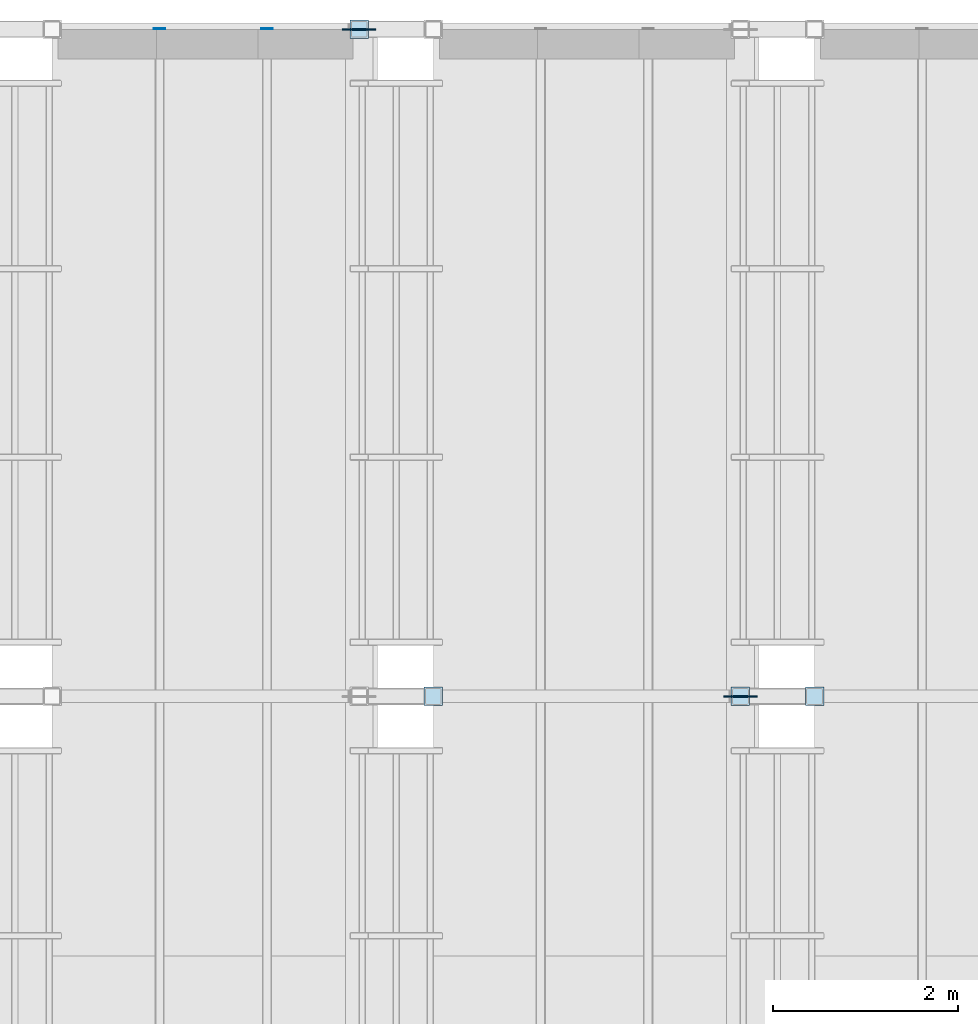
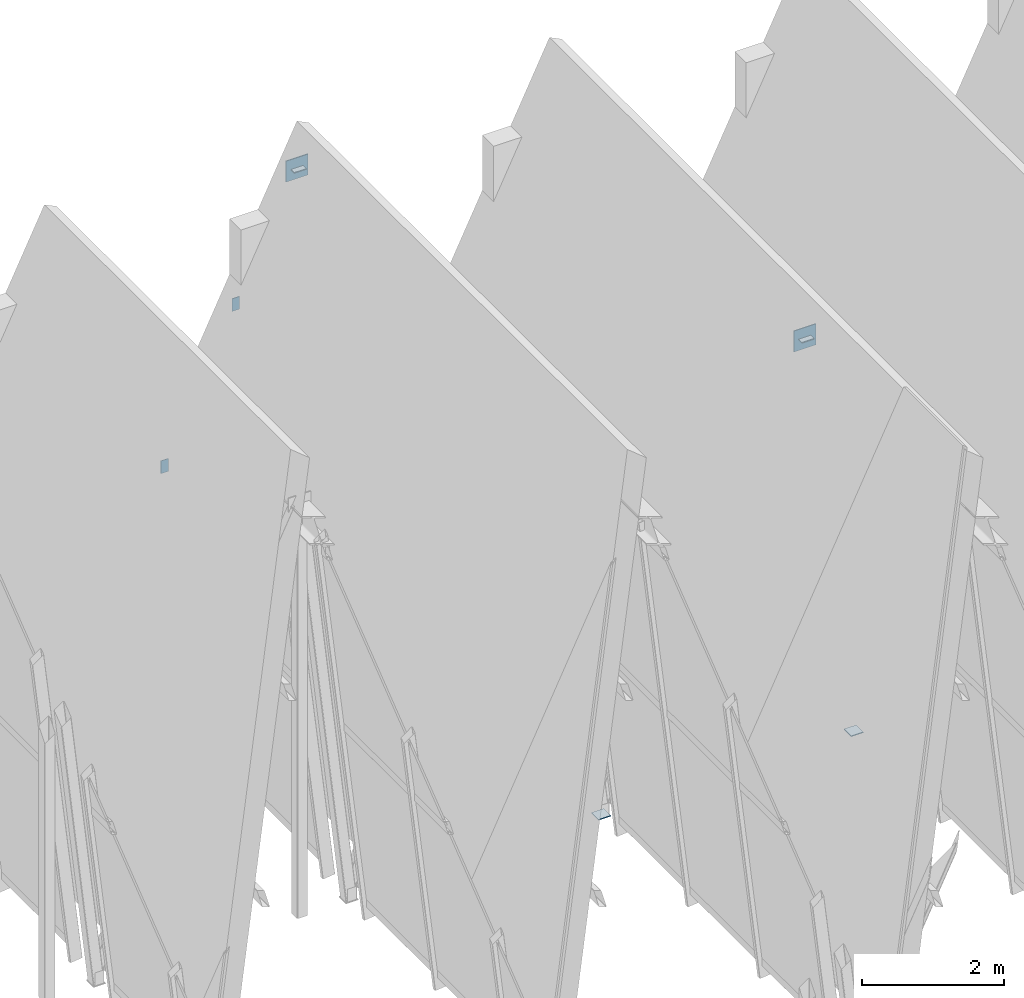
# One storey, part 25 of 28: 8 plates.
"""IFC4 building model written with IfcOpenShell, lengths in metres."""

from ifc_helpers import new_model, si_unit, direction, frame, origin, origin_2d, place, context, subcontext, project, spatial, rectangle, extrude, material, layer, layer_set, type_object, element, save


model = new_model("IFC4")

# Units and contexts
model_context = context("Model", 3, precision=1e-05, world=origin(), true_north=direction((0.0, 1.0)))
body_context = subcontext(model_context, "Body", "Model", "MODEL_VIEW")
ifc_project = project(units=[si_unit("LENGTHUNIT", "METRE"), si_unit("AREAUNIT", "SQUARE_METRE"), si_unit("VOLUMEUNIT", "CUBIC_METRE"), si_unit("PLANEANGLEUNIT", "RADIAN"), si_unit("MASSUNIT", "GRAM", prefix="KILO")], contexts=[model_context])

# Site, building, storey
site_placement = place(None, origin())
site = spatial("IfcSite", under=ifc_project, at=site_placement, CompositionType="ELEMENT")
building_placement = place(site_placement, origin())
building = spatial("IfcBuilding", under=site, at=building_placement, Name="Bramveld Media Centre", CompositionType="ELEMENT")
storey_placement = place(building_placement, frame((0.0, 0.0, 33.89990234375)))
storey = spatial("IfcBuildingStorey", under=building, at=storey_placement, Name="ROOF", CompositionType="ELEMENT", Elevation=33.89990234375)

# Plates
ifc_material_1 = material(Name="Steel S355J2", Category="steel")
ifc_layer_1 = layer(ifc_material_1, 0.010009765625)
ifc_layer_set_1 = layer_set([ifc_layer_1], Name="Steel S355J2")
plate_type_1 = type_object("IfcPlateType", Name="PLT-CAP-10", PredefinedType="USERDEFINED", material=ifc_layer_set_1)
for number, where, z_axis, x_axis, name in (
    (1, (144.702880859375, 112.0, 2.61083984375), (0.0, 1.0, 0.0), (-1.0, 0.0, 0.0), "Hollow section end cap plate CAP-CPURL-B04-35-N"),
    (2, (145.86279296875, 112.0, 4.997802734375), (0.0, 1.0, 0.0), (-1.0, 0.0, 0.0), "Hollow section end cap plate CAP-CPURL-B04-70-N"),
):
    element("IfcPlate", number, at=place(storey_placement, frame(where, z_axis=z_axis, x_axis=x_axis)), inside=storey, type_object=plate_type_1, Name=name, ObjectType="CAP PLATE", PredefinedType="USERDEFINED", context=body_context, shape_type="SweptSolid", body=[
        extrude(rectangle(XDim=0.1201171875, YDim=0.219970703125, at=origin_2d()), origin(), (0.0, 0.0, 1.0), 0.010009765625),
    ])
ifc_material_2 = material(Name="Steel S355J2", Category="steel")
ifc_layer_2 = layer(ifc_material_2, 0.013916015625)
ifc_layer_set_2 = layer_set([ifc_layer_2], Name="Steel S355J2")
plate_type_2 = type_object("IfcPlateType", Name="PLT-CAP-14", PredefinedType="USERDEFINED", material=ifc_layer_set_2)
for number, where, z_axis, x_axis, name in (
    (3, (147.657958984375, 104.800048828125, -0.0498046875), (0.0, 0.0, -1.0), (1.0, 0.0, 0.0), "Hollow section end cap plate CAP-CRN-FR-B04-F4-R"),
    (4, (146.8564453125, 112.0, 6.99462890625), (0.0, 0.0, 1.0), (1.0, 0.0, 0.0), "Hollow section end cap plate CAP-CRN-FR-B04-F5"),
    (5, (150.970703125, 104.800048828125, 6.99462890625), (0.0, 0.0, 1.0), (1.0, 0.0, 0.0), "Hollow section end cap plate CAP-CRN-FR-B05-F4"),
    (6, (151.772216796875, 104.800048828125, -0.0498046875), (0.0, 0.0, -1.0), (1.0, 0.0, 0.0), "Hollow section end cap plate CAP-CRN-FR-B05-F4-R"),
):
    element("IfcPlate", number, at=place(storey_placement, frame(where, z_axis=z_axis, x_axis=x_axis)), inside=storey, type_object=plate_type_2, Name=name, ObjectType="CAP PLATE", PredefinedType="USERDEFINED", context=body_context, shape_type="SweptSolid", body=[
        extrude(rectangle(XDim=0.199951171875, YDim=0.199951171875, at=origin_2d()), origin(), (0.0, 0.0, 1.0), 0.013916015625),
    ])
ifc_material_3 = material(Name="Steel S355J2", Category="steel")
ifc_layer_3 = layer(ifc_material_3, 0.01611328125)
ifc_layer_set_3 = layer_set([ifc_layer_3], Name="Steel S355J2")
plate_type_3 = type_object("IfcPlateType", Name="PLT-GUSSET-CRN16", PredefinedType="USERDEFINED", material=ifc_layer_set_3)
for number, where, z_axis, x_axis, name in (
    (7, (146.857177734375, 112.0, 6.81494140625), (0.0, 0.0, 1.0), (1.0, 0.0, 0.0), "CRN-FR-B04-F5 ridge gusset plate"),
    (8, (150.971435546875, 104.800048828125, 6.81494140625), (0.0, 0.0, 1.0), (1.0, 0.0, 0.0), "CRN-FR-B05-F4 ridge gusset plate"),
):
    element("IfcPlate", number, at=place(storey_placement, frame(where, z_axis=z_axis, x_axis=x_axis)), inside=storey, type_object=plate_type_3, Name=name, ObjectType="GUSSET PLATE", PredefinedType="USERDEFINED", context=body_context, shape_type="SweptSolid", body=[
        extrude(rectangle(XDim=0.360107421875, YDim=0.01611328125, at=origin_2d()), origin(), (0.0, 0.0, 1.0), 0.360107421875),
    ])

save(model, "model.ifc")
